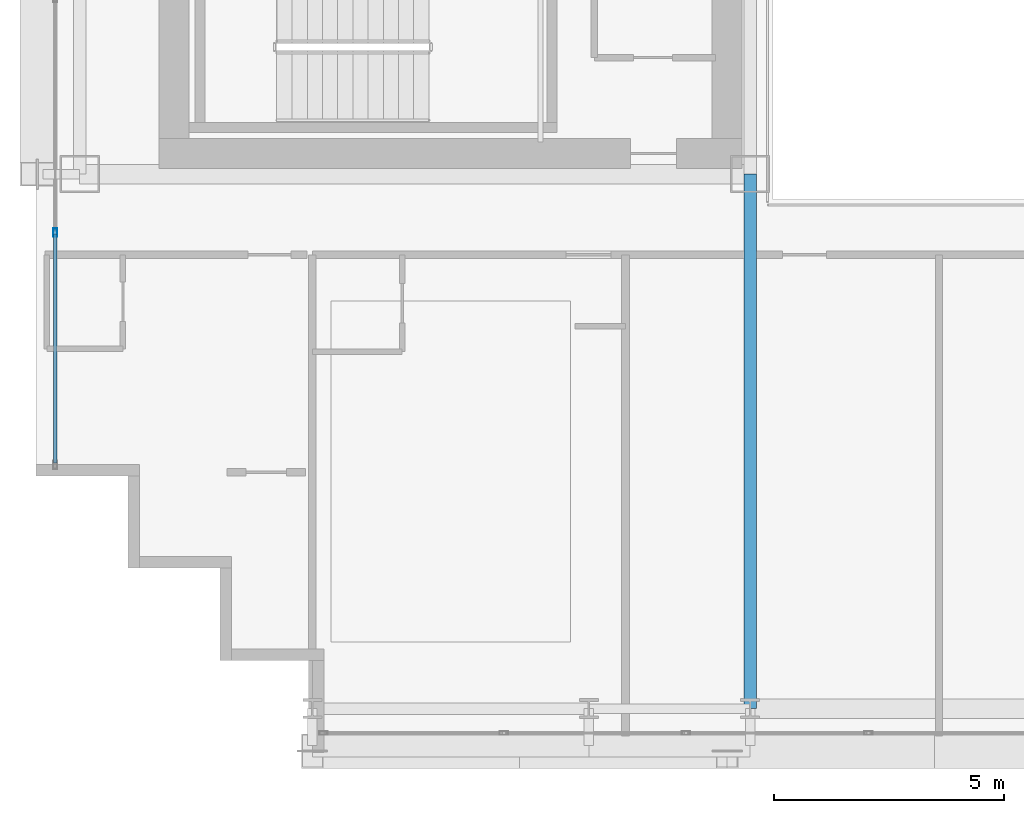
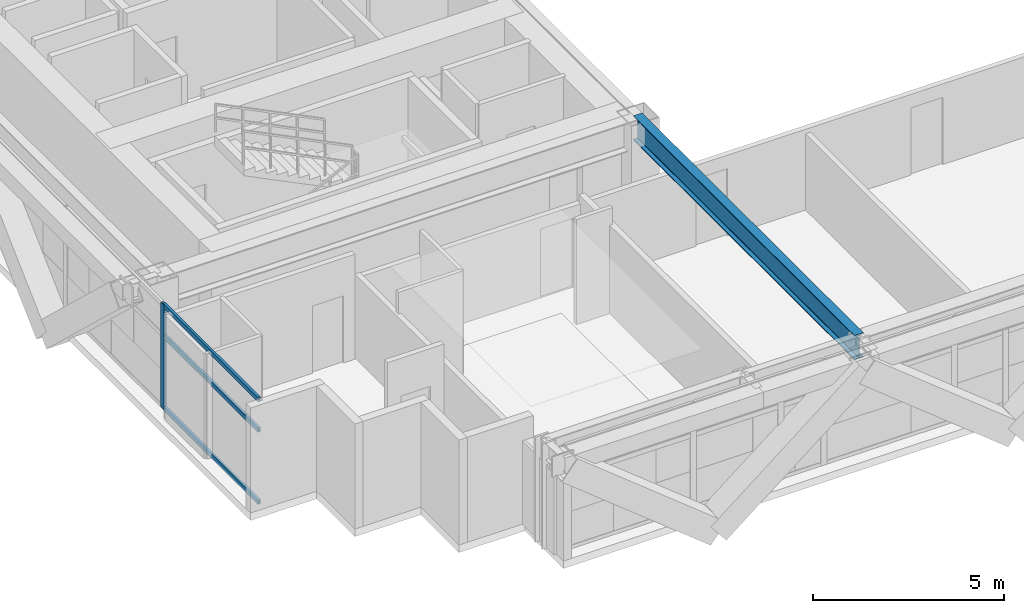
# One storey, part 3 of 35: 4 members, 1 beam, 1 element without a shape of its own.
"""IFC4 building model written with IfcOpenShell, lengths in metres."""

from ifc_helpers import new_model, si_unit, direction, frame, origin, origin_2d, place, context, subcontext, project, spatial, hollow_rectangle, i_section, extrude, source, transform, mapped, material, layer, layer_set, material_profile, profile_set, type_object, element, aggregate, save


model = new_model("IFC4")

# Units and contexts
model_context = context("Model", 3, precision=1e-05, world=origin(), true_north=direction((0.0, 1.0)))
body_context = subcontext(model_context, "Body", "Model", "MODEL_VIEW")
ifc_project = project(units=[si_unit("LENGTHUNIT", "METRE"), si_unit("AREAUNIT", "SQUARE_METRE"), si_unit("VOLUMEUNIT", "CUBIC_METRE"), si_unit("PLANEANGLEUNIT", "RADIAN"), si_unit("MASSUNIT", "GRAM", prefix="KILO")], contexts=[model_context])

# Site, building, storey
site_placement = place(None, origin())
site = spatial("IfcSite", under=ifc_project, at=site_placement, CompositionType="ELEMENT")
building_placement = place(site_placement, origin())
building = spatial("IfcBuilding", under=site, at=building_placement, Name="Ocotamira Hotel", CompositionType="ELEMENT")
storey_placement = place(building_placement, frame((0.0, 0.0, 144.0)))
storey = spatial("IfcBuildingStorey", under=building, at=storey_placement, Name="L36", CompositionType="ELEMENT", Elevation=144.0)

# Beam
ifc_material_1 = material(Name="Steel ASTM A992 Grade 50", Category="steel")
ifc_material_profile_1 = material_profile(ifc_material_1, i_section(OverallWidth=0.26611328125, OverallDepth=0.779052734375, WebThickness=0.0166015625, FlangeThickness=0.030029296875, FilletRadius=0.01806640625, at=origin_2d()), Name="W30X148")
ifc_profile_set_1 = profile_set([ifc_material_profile_1], Name="Steel ASTM A992 Grade 50")
beam_type = type_object("IfcBeamType", Name="BM-GIRD-W30X148", PredefinedType="BEAM", material=ifc_profile_set_1)
shared_shape_1 = source(origin(), body_context, "Body", "SweptSolid", [
    extrude(i_section(OverallWidth=0.26611328125, OverallDepth=0.779052734375, WebThickness=0.0166015625, FlangeThickness=0.030029296875, FilletRadius=0.01806640625, at=origin_2d()), origin(), (0.0, 0.0, 1.0), 11.60009765625),
])
beam_placement = place(storey_placement, frame((23.5, 2.949951171875, 2.970458984375), z_axis=(0.0, 1.0, 0.0), x_axis=(-1.0, 0.0, 0.0)))
element("IfcBeam", 1, at=beam_placement, inside=storey, type_object=beam_type, Name="L36 Beam X23.5 Y2.95-14.55", PredefinedType="BEAM", context=body_context, shape_type="MappedRepresentation", body=[
    mapped(shared_shape_1, transform((0.0, 0.0, 0.0), scale=1.0)),
])

# Curtain wall, members
ifc_material_2 = material(Name="Anodised pale-metal aluminium and solar glass", Category="aluminium")
ifc_layer = layer(ifc_material_2, 0.179931640625)
ifc_layer_set = layer_set([ifc_layer], Name="Anodised pale-metal aluminium and solar glass")
curtain_wall_type = type_object("IfcCurtainWallType", Name="CW-SYS3-Z2", PredefinedType="NOTDEFINED", material=ifc_layer_set)
curtain_wall_placement = place(storey_placement, origin())
curtain_wall = element("IfcCurtainWall", 2, at=curtain_wall_placement, inside=storey, type_object=curtain_wall_type, Name="L36 Curtain Wall CW-3 CW-L36-W", PredefinedType="NOTDEFINED")
ifc_material_3 = material(Name="Anodised pale-metal aluminium 6063-T6", Category="aluminium")
ifc_material_profile_2 = material_profile(ifc_material_3, hollow_rectangle(XDim=0.074951171875, YDim=0.14990234375, WallThickness=0.006103515625, at=origin_2d()), Name="HSS150X75X6")
ifc_profile_set_2 = profile_set([ifc_material_profile_2], Name="Anodised pale-metal aluminium 6063-T6")
member_type_1 = type_object("IfcMemberType", Name="CWT-150X75", PredefinedType="USERDEFINED", material=ifc_profile_set_2)
shared_shape_2 = source(origin(), body_context, "Body", "SweptSolid", [
    extrude(hollow_rectangle(XDim=0.074951171875, YDim=0.14990234375, WallThickness=0.006103515625, at=origin_2d()), origin(), (0.0, 0.0, 1.0), 4.965576171875),
])
member_1_placement = place(storey_placement, frame((8.419921875, 8.280029296875, 0.03759765625), z_axis=(0.0, 1.0, 0.0), x_axis=(-1.0, 0.0, 0.0)))
member_1 = element("IfcMember", 3, at=member_1_placement, type_object=member_type_1, Name="CW-3 transom 1.1", ObjectType="TRANSOM", PredefinedType="USERDEFINED", context=body_context, shape_type="MappedRepresentation", body=[
    mapped(shared_shape_2, transform((0.0, 0.0, 0.0), scale=1.0)),
])
member_2_placement = place(storey_placement, frame((8.419921875, 8.280029296875, 2.35009765625), z_axis=(0.0, 1.0, 0.0), x_axis=(-1.0, 0.0, 0.0)))
member_2 = element("IfcMember", 4, at=member_2_placement, type_object=member_type_1, Name="CW-3 transom 1.2", ObjectType="TRANSOM", PredefinedType="USERDEFINED", context=body_context, shape_type="MappedRepresentation", body=[
    mapped(shared_shape_2, transform((0.0, 0.0, 0.0), scale=1.0)),
])
member_3_placement = place(storey_placement, frame((8.419921875, 8.280029296875, 3.322509765625), z_axis=(0.0, 1.0, 0.0), x_axis=(-1.0, 0.0, 0.0)))
member_3 = element("IfcMember", 5, at=member_3_placement, type_object=member_type_1, Name="CW-3 transom 1.3", ObjectType="TRANSOM", PredefinedType="USERDEFINED", context=body_context, shape_type="MappedRepresentation", body=[
    mapped(shared_shape_2, transform((0.0, 0.0, 0.0), scale=1.0)),
])
ifc_material_profile_3 = material_profile(ifc_material_3, hollow_rectangle(XDim=0.080078125, YDim=0.179931640625, WallThickness=0.006103515625, at=origin_2d()), Name="HSS180X80X6")
ifc_profile_set_3 = profile_set([ifc_material_profile_3], Name="Anodised pale-metal aluminium 6063-T6")
member_type_2 = type_object("IfcMemberType", Name="CWM-180X75", PredefinedType="MULLION", material=ifc_profile_set_3)
shared_shape_3 = source(origin(), body_context, "Body", "SweptSolid", [
    extrude(hollow_rectangle(XDim=0.080078125, YDim=0.179931640625, WallThickness=0.006103515625, at=origin_2d()), origin(), (0.0, 0.0, 1.0), 3.360107421875),
])
member_4_placement = place(storey_placement, frame((8.419921875, 13.28564453125, 0.0), z_axis=(0.0, 0.0, 1.0), x_axis=(-1.0, 0.0, 0.0)))
member_4 = element("IfcMember", 6, at=member_4_placement, type_object=member_type_2, Name="CW-3 mullion 2", PredefinedType="MULLION", context=body_context, shape_type="MappedRepresentation", body=[
    mapped(shared_shape_3, transform((0.0, 0.0, 0.0), scale=1.0)),
])
aggregate(curtain_wall, [member_4, member_1, member_2, member_3])

save(model, "model.ifc")
